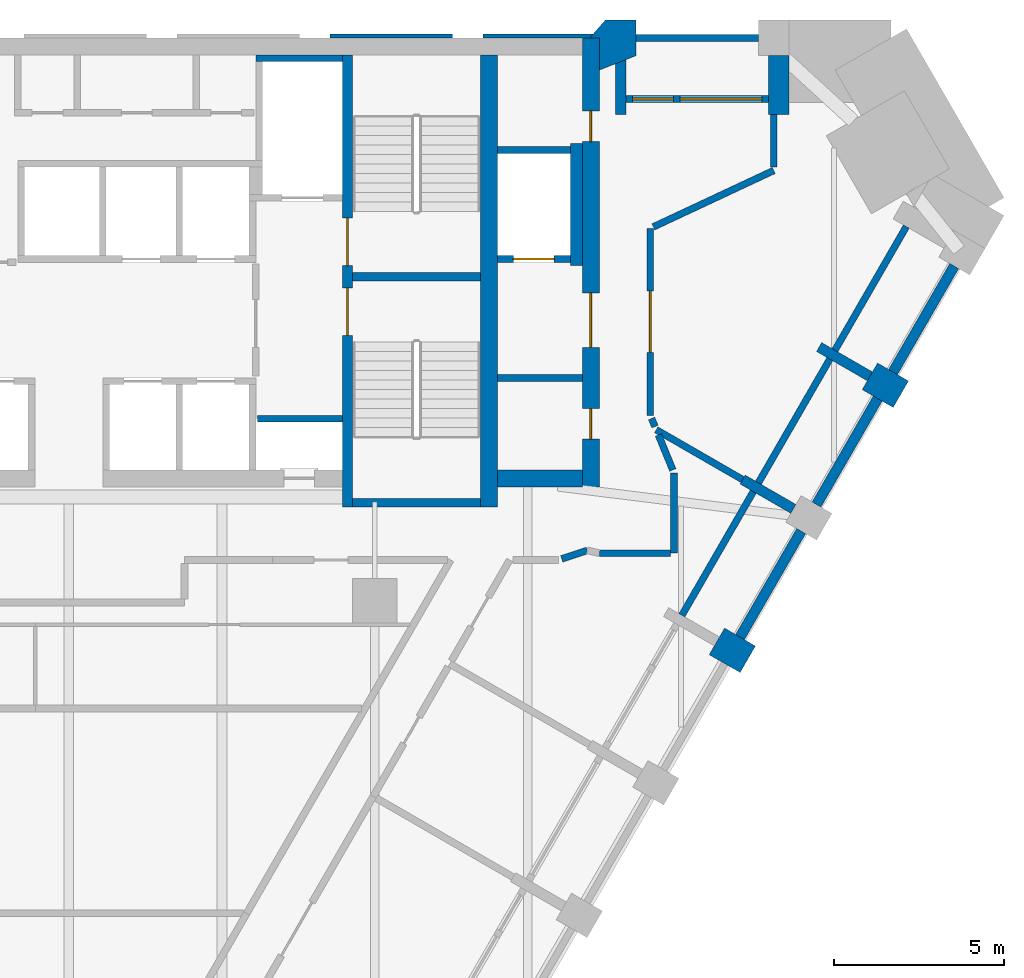
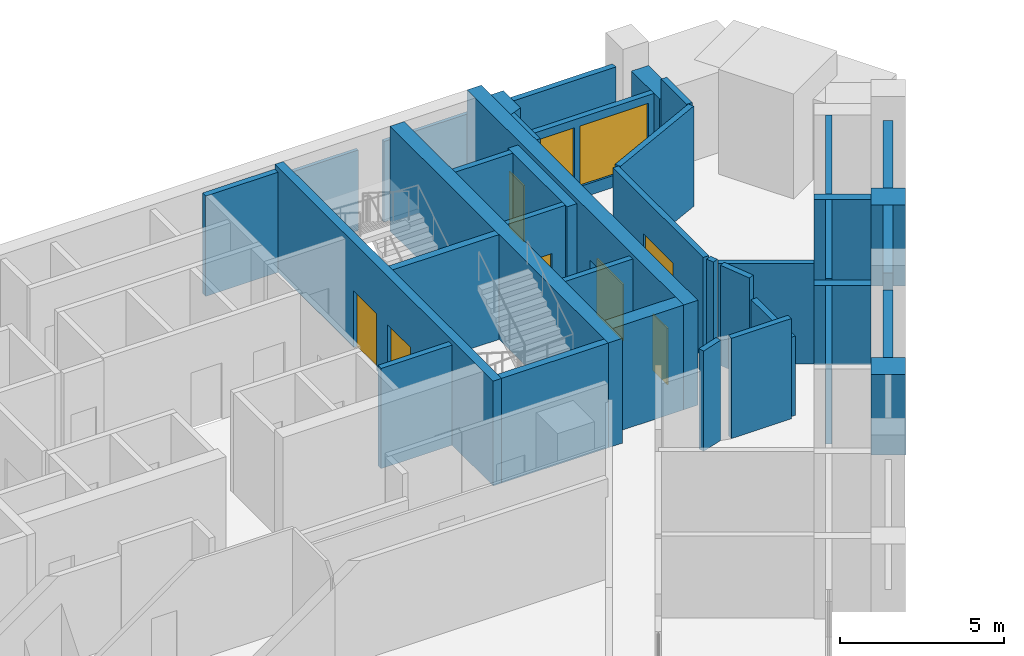
# One storey, part 7 of 9: 38 walls, 8 doors, 1 window, 9 openings.
"""IFC4 building model written with IfcOpenShell, lengths in metres."""

from ifc_helpers import new_model, si_unit, direction, frame, frame_2d, origin, place, context, subcontext, project, spatial, polyline, rectangle, outline, extrude, material, layer, layer_set, type_object, element, fill, save


model = new_model("IFC4")

# Units and contexts
model_context = context("Model", 3, precision=1e-05, world=origin(), true_north=direction((0.0, 1.0)))
body_context = subcontext(model_context, "Body", "Model", "MODEL_VIEW")
ifc_project = project(units=[si_unit("LENGTHUNIT", "METRE"), si_unit("AREAUNIT", "SQUARE_METRE"), si_unit("VOLUMEUNIT", "CUBIC_METRE"), si_unit("PLANEANGLEUNIT", "RADIAN"), si_unit("MASSUNIT", "GRAM", prefix="KILO")], contexts=[model_context])

# Site, building, storey
site_placement = place(None, origin())
site = spatial("IfcSite", under=ifc_project, at=site_placement, CompositionType="ELEMENT")
building_placement = place(site_placement, origin())
building = spatial("IfcBuilding", under=site, at=building_placement, Name="Calabash Gate Tower", CompositionType="ELEMENT")
storey_placement = place(building_placement, frame((0.0, 0.0, 171.89990234375)))
storey = spatial("IfcBuildingStorey", under=building, at=storey_placement, Name="L40", CompositionType="ELEMENT", Elevation=171.89990234375)

# Walls
ifc_material_1 = material(Name="Terracotta brick masonry, exposed face", Category="masonry")
ifc_layer_1 = layer(ifc_material_1, 1.050048828125)
ifc_layer_set_1 = layer_set([ifc_layer_1], Name="Brick end wall 1050")
wall_type_1 = type_object("IfcWallType", Name="Brick end wall 1050", PredefinedType="SOLIDWALL", material=ifc_layer_set_1)
wall_1_placement = place(storey_placement, frame((19.058349609375, 1.30419921875, 0.0), z_axis=(0.0, 0.0, 1.0), x_axis=(0.866030680601, -0.499990860175, 0.0)))
element("IfcWall", 1, at=wall_1_placement, inside=storey, type_object=wall_type_1, Name="Brick pier S11 SE4.5", PredefinedType="SOLIDWALL", context=body_context, shape_type="SweptSolid", body=[
    extrude(rectangle(XDim=1.0498046875, YDim=0.89990234375, at=frame_2d((0.52490234375, 0.0))), origin(), (0.0, 0.0, 1.0), 3.0),
])
wall_2_placement = place(storey_placement, frame((24.467529296875, 8.573486328125, 0.0), z_axis=(0.0, 0.0, 1.0), x_axis=(-0.86592997719, 0.500165247297, 0.0)))
element("IfcWall", 2, at=wall_2_placement, inside=storey, type_object=wall_type_1, Name="Brick pier S11 SE4.7", PredefinedType="SOLIDWALL", context=body_context, shape_type="SweptSolid", body=[
    extrude(rectangle(XDim=1.050048828125, YDim=0.89990234375, at=frame_2d((0.52490234375, 0.0))), origin(), (0.0, 0.0, 1.0), 3.0),
])
wall_3_placement = place(storey_placement, origin())
element("IfcWall", 3, at=wall_3_placement, inside=storey, type_object=wall_type_1, Name="Brick pier S11 N6.1", PredefinedType="SOLIDWALL", context=body_context, shape_type="SweptSolid", body=[
    extrude(outline(polyline([(15.60009765625, 18.104248046875), (16.6796875, 18.527587890625), (16.6796875, 19.57763671875), (15.779541015625, 19.57763671875), (15.319580078125, 19.052490234375), (15.60009765625, 19.052490234375), (15.60009765625, 18.104248046875)])), origin(), (0.0, 0.0, 1.0), 3.0),
])
ifc_material_2 = material(Name="Terracotta brick masonry, exposed face", Category="masonry")
ifc_layer_2 = layer(ifc_material_2, 0.300048828125)
ifc_layer_set_2 = layer_set([ifc_layer_2], Name="Brick infill panel wall 300")
wall_type_2 = type_object("IfcWallType", Name="Brick infill panel wall 300", PredefinedType="SOLIDWALL", material=ifc_layer_set_2)
wall_4_placement = place(storey_placement, frame((19.738037109375, 1.431396484375, 0.0), z_axis=(0.0, 0.0, 1.0), x_axis=(0.499982693035, 0.866035395735, 0.0)))
element("IfcWall", 4, at=wall_4_placement, inside=storey, type_object=wall_type_2, Name="Brick panel S11 SE4.6", PredefinedType="SOLIDWALL", context=body_context, shape_type="SweptSolid", body=[
    extrude(rectangle(XDim=3.600341796875, YDim=0.300048828125, at=frame_2d((1.80029296875, 0.0))), origin(), (0.0, 0.0, 1.0), 3.0),
])
for number, where, z_axis, x_axis, name in (
    (5, (21.988037109375, 5.32861328125, 0.0), (0.0, 0.0, 1.0), (0.500012057535, 0.866018442252, 0.0), "Brick panel S11 SE4.7"),
    (6, (24.238037109375, 9.225830078125, 0.0), (0.0, 0.0, 1.0), (0.500012057535, 0.866018442252, 0.0), "Brick panel S11 SE4.8"),
):
    element("IfcWall", number, at=place(storey_placement, frame(where, z_axis=z_axis, x_axis=x_axis)), inside=storey, type_object=wall_type_2, Name=name, PredefinedType="SOLIDWALL", context=body_context, shape_type="SweptSolid", body=[
        extrude(rectangle(XDim=3.60009765625, YDim=0.300048828125, at=frame_2d((1.800048828125, 0.0))), origin(), (0.0, 0.0, 1.0), 3.0),
    ])
ifc_material_3 = material(Name="Terracotta brick masonry, exposed face", Category="masonry")
ifc_layer_3 = layer(ifc_material_3, 0.300048828125)
ifc_layer_set_3 = layer_set([ifc_layer_3], Name="Brick loggia cheek wall 300")
wall_type_3 = type_object("IfcWallType", Name="Brick loggia cheek wall 300", PredefinedType="SOLIDWALL", material=ifc_layer_set_3)
wall_5_placement = place(storey_placement, frame((19.814453125, 6.06396484375, 0.0), z_axis=(0.0, 0.0, 1.0), x_axis=(0.866013532718, -0.500020560727, 0.0)))
element("IfcWall", 7, at=wall_5_placement, inside=storey, type_object=wall_type_3, Name="Loggia cheek S11 SE4.6", PredefinedType="SOLIDWALL", context=body_context, shape_type="SweptSolid", body=[
    extrude(rectangle(XDim=1.72509765625, YDim=0.300048828125, at=frame_2d((0.862548828125, 0.0))), origin(), (0.0, 0.0, 1.0), 2.9501953125),
])
wall_6_placement = place(storey_placement, frame((23.558349609375, 9.0986328125, 0.0), z_axis=(0.0, 0.0, 1.0), x_axis=(-0.866074815912, 0.499914405916, 0.0)))
element("IfcWall", 8, at=wall_6_placement, inside=storey, type_object=wall_type_3, Name="Loggia cheek S11 SE4.7", PredefinedType="SOLIDWALL", context=body_context, shape_type="SweptSolid", body=[
    extrude(rectangle(XDim=1.724853515625, YDim=0.300048828125, at=frame_2d((0.8623046875, 0.0))), origin(), (0.0, 0.0, 1.0), 3.0),
])
wall_7_placement = place(storey_placement, origin())
element("IfcWall", 9, at=wall_7_placement, inside=storey, type_object=wall_type_3, Name="Loggia cheek S11 N6.0", PredefinedType="SOLIDWALL", context=body_context, shape_type="SweptSolid", body=[
    extrude(outline(polyline([(21.1796875, 16.802490234375), (21.1796875, 18.527587890625), (20.57958984375, 18.527587890625), (20.57958984375, 16.802490234375), (21.1796875, 16.802490234375)])), origin(), (0.0, 0.0, 1.0), 3.0),
])
wall_8_placement = place(storey_placement, origin())
element("IfcWall", 10, at=wall_8_placement, inside=storey, type_object=wall_type_3, Name="Loggia cheek S11 N6.1", PredefinedType="SOLIDWALL", context=body_context, shape_type="SweptSolid", body=[
    extrude(outline(polyline([(16.07958984375, 18.292236328125), (16.07958984375, 16.802490234375), (16.379638671875, 16.802490234375), (16.379638671875, 18.409912109375), (16.07958984375, 18.292236328125)])), origin(), (0.0, 0.0, 1.0), 3.0),
])
ifc_material_4 = material(Name="Gypsum board on steel studs, mineral wool", Category="steel")
ifc_layer_4 = layer(ifc_material_4, 0.199951171875)
ifc_layer_set_4 = layer_set([ifc_layer_4], Name="Core partition 200 gypsum board")
wall_type_4 = type_object("IfcWallType", Name="Core partition 200 gypsum board", PredefinedType="PARTITIONING", material=ifc_layer_set_4)
wall_9_placement = place(storey_placement, frame((12.60009765625, 9.052490234375, 0.0), z_axis=(0.0, 0.0, 1.0), x_axis=(1.0, 0.0, 0.0)))
element("IfcWall", 11, at=wall_9_placement, inside=storey, type_object=wall_type_4, Name="Core partition", PredefinedType="PARTITIONING", context=body_context, shape_type="SweptSolid", body=[
    extrude(rectangle(XDim=2.5, YDim=0.199951171875, at=frame_2d((1.25, 0.0))), origin(), (0.0, 0.0, 1.0), 3.72998046875),
])
ifc_material_5 = material(Name="Concrete C70/85", Category="concrete")
ifc_layer_5 = layer(ifc_material_5, 0.25)
ifc_layer_set_5 = layer_set([ifc_layer_5], Name="Core wall 250 Concrete C70/85")
wall_type_5 = type_object("IfcWallType", Name="Core wall 250 Concrete C70/85", PredefinedType="SHEAR", material=ifc_layer_set_5)
for number, where, z_axis, x_axis, name in (
    (12, (8.35009765625, 12.027587890625, 0.0), (0.0, 0.0, 1.0), (1.0, 0.0, 0.0), "Core wall Z3-MIDE L40"),
    (13, (8.35009765625, 5.377685546875, 0.0), (0.0, 0.0, 1.0), (1.0, 0.0, 0.0), "Core wall Z3-SSE L40"),
):
    element("IfcWall", number, at=place(storey_placement, frame(where, z_axis=z_axis, x_axis=x_axis)), inside=storey, type_object=wall_type_5, Name=name, PredefinedType="SHEAR", context=body_context, shape_type="SweptSolid", body=[
        extrude(rectangle(XDim=3.75, YDim=0.25, at=frame_2d((1.875, 0.0))), origin(), (0.0, 0.0, 1.0), 3.900146484375),
    ])

# Wall, openings, doors
ifc_material_6 = material(Name="Concrete C70/85", Category="concrete")
ifc_layer_6 = layer(ifc_material_6, 0.300048828125)
ifc_layer_set_6 = layer_set([ifc_layer_6], Name="Core wall 300 Concrete C70/85")
wall_type_6 = type_object("IfcWallType", Name="Core wall 300 Concrete C70/85", PredefinedType="SHEAR", material=ifc_layer_set_6)
wall_10_placement = place(storey_placement, frame((8.199951171875, 5.252685546875, 0.0), z_axis=(0.0, 0.0, 1.0), x_axis=(0.0, 1.0, 0.0)))
wall_10 = element("IfcWall", 14, at=wall_10_placement, inside=storey, type_object=wall_type_6, Name="Core wall Z3-PARTE L40", PredefinedType="SHEAR", context=body_context, shape_type="SweptSolid", body=[
    extrude(rectangle(XDim=13.2998046875, YDim=0.300048828125, at=frame_2d((6.64990234375, 0.0))), origin(), (0.0, 0.0, 1.0), 3.900146484375),
])
opening_1_placement = place(wall_10_placement, frame((7.10009765625, 0.0, 0.0)))
opening_1 = element("IfcOpeningElement", 15, at=opening_1_placement, cuts=wall_10, Name="Opening O3-019", PredefinedType="OPENING", context=body_context, shape_type="SweptSolid", body=[
    extrude(rectangle(XDim=1.39990234375, YDim=2.10009765625, at=frame_2d((0.699951171875, 1.050048828125))), frame((0.0, 0.159912109375, 0.0), z_axis=(0.0, -1.0, 0.0), x_axis=(1.0, 0.0, 0.0)), (0.0, 0.0, 1.0), 0.320068359375),
])
opening_2_placement = place(wall_10_placement, frame((5.050048828125, 0.0, 0.0)))
opening_2 = element("IfcOpeningElement", 16, at=opening_2_placement, cuts=wall_10, Name="Opening O3-020", PredefinedType="OPENING", context=body_context, shape_type="SweptSolid", body=[
    extrude(rectangle(XDim=1.39990234375, YDim=2.10009765625, at=frame_2d((0.699951171875, 1.050048828125))), frame((0.0, 0.159912109375, 0.0), z_axis=(0.0, -1.0, 0.0), x_axis=(1.0, 0.0, 0.0)), (0.0, 0.0, 1.0), 0.320068359375),
])
ifc_material_7 = material(Name="Steel fire door set with fire-resisting glazing", Category="steel")
door_type_1 = type_object("IfcDoorType", Name="Fire door D05 1400x2100 FD90", OperationType="NOTDEFINED", PredefinedType="DOOR", material=ifc_material_7)
door_1_placement = place(opening_1_placement, origin())
door_1 = element("IfcDoor", 17, at=door_1_placement, inside=storey, type_object=door_type_1, Name="Exit stair door ST3", OperationType="SINGLE_SWING_RIGHT", OverallHeight=2.10009765625, OverallWidth=1.39990234375, PredefinedType="DOOR", context=body_context, shape_type="SweptSolid", body=[
    extrude(rectangle(XDim=1.39990234375, YDim=2.10009765625, at=frame_2d((0.699951171875, 1.050048828125))), frame((0.0, 0.02490234375, 0.0), z_axis=(0.0, -1.0, 0.0), x_axis=(1.0, 0.0, 0.0)), (0.0, 0.0, 1.0), 0.050048828125),
])
fill(opening_1, door_1)
door_2_placement = place(opening_2_placement, origin())
door_2 = element("IfcDoor", 18, at=door_2_placement, inside=storey, type_object=door_type_1, Name="Exit stair door ST4", OperationType="SINGLE_SWING_LEFT", OverallHeight=2.10009765625, OverallWidth=1.39990234375, PredefinedType="DOOR", context=body_context, shape_type="SweptSolid", body=[
    extrude(rectangle(XDim=1.39990234375, YDim=2.10009765625, at=frame_2d((0.699951171875, 1.050048828125))), frame((0.0, 0.02490234375, 0.0), z_axis=(0.0, -1.0, 0.0), x_axis=(1.0, 0.0, 0.0)), (0.0, 0.0, 1.0), 0.050048828125),
])
fill(opening_2, door_2)

# Walls
ifc_material_8 = material(Name="Concrete C70/85", Category="concrete")
ifc_layer_7 = layer(ifc_material_8, 0.5)
ifc_layer_set_7 = layer_set([ifc_layer_7], Name="Core wall 500 Concrete C70/85")
wall_type_7 = type_object("IfcWallType", Name="Core wall 500 Concrete C70/85", PredefinedType="SHEAR", material=ifc_layer_set_7)
wall_11_placement = place(storey_placement, frame((12.35009765625, 5.252685546875, 0.0), z_axis=(0.0, 0.0, 1.0), x_axis=(0.0, 1.0, 0.0)))
element("IfcWall", 19, at=wall_11_placement, inside=storey, type_object=wall_type_7, Name="Core wall Z3-COLE L40", PredefinedType="SHEAR", context=body_context, shape_type="SweptSolid", body=[
    extrude(rectangle(XDim=13.2998046875, YDim=0.5, at=frame_2d((6.64990234375, 0.0))), origin(), (0.0, 0.0, 1.0), 3.900146484375),
])
wall_12_placement = place(storey_placement, frame((12.60009765625, 6.1025390625, 0.0), z_axis=(0.0, 0.0, 1.0), x_axis=(1.0, 0.0, 0.0)))
element("IfcWall", 20, at=wall_12_placement, inside=storey, type_object=wall_type_7, Name="Core wall Z3-SE L40", PredefinedType="SHEAR", context=body_context, shape_type="SweptSolid", body=[
    extrude(rectangle(XDim=2.5, YDim=0.5, at=frame_2d((1.25, 0.0))), origin(), (0.0, 0.0, 1.0), 3.900146484375),
])

# Wall, openings, doors
wall_13_placement = place(storey_placement, frame((15.35009765625, 5.8525390625, 0.0), z_axis=(0.0, 0.0, 1.0), x_axis=(0.0, 1.0, 0.0)))
wall_13 = element("IfcWall", 21, at=wall_13_placement, inside=storey, type_object=wall_type_7, Name="Core wall Z3-ENDE L40", PredefinedType="SHEAR", context=body_context, shape_type="SweptSolid", body=[
    extrude(rectangle(XDim=13.199951171875, YDim=0.5, at=frame_2d((6.60009765625, 0.0))), origin(), (0.0, 0.0, 1.0), 3.900146484375),
])
opening_3_placement = place(wall_13_placement, frame((4.10009765625, 0.0, 0.0)))
opening_3 = element("IfcOpeningElement", 22, at=opening_3_placement, cuts=wall_13, Name="Opening O3-003", PredefinedType="OPENING", context=body_context, shape_type="SweptSolid", body=[
    extrude(rectangle(XDim=1.60009765625, YDim=2.10009765625, at=frame_2d((0.800048828125, 1.050048828125))), frame((0.0, 0.260009765625, 0.0), z_axis=(0.0, -1.0, 0.0), x_axis=(1.0, 0.0, 0.0)), (0.0, 0.0, 1.0), 0.52001953125),
])
opening_4_placement = place(wall_13_placement, frame((1.39990234375, 0.0, 0.0)))
opening_4 = element("IfcOpeningElement", 23, at=opening_4_placement, cuts=wall_13, Name="Opening O3-001", PredefinedType="OPENING", context=body_context, shape_type="SweptSolid", body=[
    extrude(rectangle(XDim=0.89990234375, YDim=2.10009765625, at=frame_2d((0.449951171875, 1.050048828125))), frame((0.0, 0.260009765625, 0.0), z_axis=(0.0, -1.0, 0.0), x_axis=(1.0, 0.0, 0.0)), (0.0, 0.0, 1.0), 0.52001953125),
])
opening_5_placement = place(wall_13_placement, frame((10.14990234375, 0.0, 0.0)))
opening_5 = element("IfcOpeningElement", 24, at=opening_5_placement, cuts=wall_13, Name="Opening O3-002", PredefinedType="OPENING", context=body_context, shape_type="SweptSolid", body=[
    extrude(rectangle(XDim=0.89990234375, YDim=2.10009765625, at=frame_2d((0.449951171875, 1.050048828125))), frame((0.0, 0.260009765625, 0.0), z_axis=(0.0, -1.0, 0.0), x_axis=(1.0, 0.0, 0.0)), (0.0, 0.0, 1.0), 0.52001953125),
])
ifc_material_9 = material(Name="Steel fire door set with fire-resisting glazing", Category="steel")
door_type_2 = type_object("IfcDoorType", Name="Double fire door D08 1600x2100 FD60", OperationType="DOUBLE_DOOR_SINGLE_SWING", PredefinedType="DOOR", material=ifc_material_9)
door_3_placement = place(opening_3_placement, origin())
door_3 = element("IfcDoor", 25, at=door_3_placement, inside=storey, type_object=door_type_2, Name="Service Lift Lobby E door", OperationType="DOUBLE_DOOR_SINGLE_SWING", OverallHeight=2.10009765625, OverallWidth=1.60009765625, PredefinedType="DOOR", context=body_context, shape_type="SweptSolid", body=[
    extrude(rectangle(XDim=1.60009765625, YDim=2.10009765625, at=frame_2d((0.800048828125, 1.050048828125))), frame((0.0, 0.02490234375, 0.0), z_axis=(0.0, -1.0, 0.0), x_axis=(1.0, 0.0, 0.0)), (0.0, 0.0, 1.0), 0.050048828125),
])
fill(opening_3, door_3)
ifc_material_10 = material(Name="Steel fire door set with fire-resisting glazing", Category="steel")
door_type_3 = type_object("IfcDoorType", Name="Fire door D06 900x2100 FD60", OperationType="NOTDEFINED", PredefinedType="DOOR", material=ifc_material_10)
door_4_placement = place(opening_4_placement, origin())
door_4 = element("IfcDoor", 26, at=door_4_placement, inside=storey, type_object=door_type_3, Name="Men's WC door", OperationType="SINGLE_SWING_RIGHT", OverallHeight=2.10009765625, OverallWidth=0.89990234375, PredefinedType="DOOR", context=body_context, shape_type="SweptSolid", body=[
    extrude(rectangle(XDim=0.89990234375, YDim=2.10009765625, at=frame_2d((0.449951171875, 1.050048828125))), frame((0.0, 0.02490234375, 0.0), z_axis=(0.0, -1.0, 0.0), x_axis=(1.0, 0.0, 0.0)), (0.0, 0.0, 1.0), 0.050048828125),
])
fill(opening_4, door_4)
door_5_placement = place(opening_5_placement, origin())
door_5 = element("IfcDoor", 27, at=door_5_placement, inside=storey, type_object=door_type_3, Name="Tenant Pantry door", OperationType="SINGLE_SWING_LEFT", OverallHeight=2.10009765625, OverallWidth=0.89990234375, PredefinedType="DOOR", context=body_context, shape_type="SweptSolid", body=[
    extrude(rectangle(XDim=0.89990234375, YDim=2.10009765625, at=frame_2d((0.449951171875, 1.050048828125))), frame((0.0, 0.02490234375, 0.0), z_axis=(0.0, -1.0, 0.0), x_axis=(1.0, 0.0, 0.0)), (0.0, 0.0, 1.0), 0.050048828125),
])
fill(opening_5, door_5)

# Walls
ifc_material_11 = material(Name="Gypsum board on steel studs, mineral wool", Category="steel")
ifc_layer_8 = layer(ifc_material_11, 0.199951171875)
ifc_layer_set_8 = layer_set([ifc_layer_8], Name="Partition 200 gypsum board EI 60")
wall_type_8 = type_object("IfcWallType", Name="Partition 200 gypsum board EI 60", PredefinedType="PARTITIONING", material=ifc_layer_set_8)
wall_14_placement = place(storey_placement, frame((15.60009765625, 3.8994140625, 0.0), z_axis=(0.0, 0.0, 1.0), x_axis=(0.999999993243, 0.000116252034, 0.0)))
element("IfcWall", 28, at=wall_14_placement, inside=storey, type_object=wall_type_8, Name="Partition", PredefinedType="PARTITIONING", context=body_context, shape_type="SweptSolid", body=[
    extrude(rectangle(XDim=2.10009765625, YDim=0.199951171875, at=frame_2d((1.050048828125, 0.0))), origin(), (0.0, 0.0, 1.0), 3.72998046875),
])
wall_15_placement = place(storey_placement, frame((14.494873046875, 3.731201171875, 0.0), z_axis=(0.0, 0.0, 1.0), x_axis=(0.948683298051, 0.316227766017, 0.0)))
element("IfcWall", 29, at=wall_15_placement, inside=storey, type_object=wall_type_8, Name="Partition", PredefinedType="PARTITIONING", context=body_context, shape_type="SweptSolid", body=[
    extrude(rectangle(XDim=0.791259765625, YDim=0.199951171875, at=frame_2d((0.3955078125, 0.0))), origin(), (0.0, 0.0, 1.0), 3.72998046875),
])
wall_16_placement = place(storey_placement, frame((17.275634765625, 7.52734375, 0.0), z_axis=(0.0, 0.0, 1.0), x_axis=(0.866324259283, -0.499482009464, 0.0)))
element("IfcWall", 30, at=wall_16_placement, inside=storey, type_object=wall_type_8, Name="Partition", PredefinedType="PARTITIONING", context=body_context, shape_type="SweptSolid", body=[
    extrude(rectangle(XDim=2.93017578125, YDim=0.199951171875, at=frame_2d((1.465087890625, 0.0))), origin(), (0.0, 0.0, 1.0), 3.72998046875),
])
wall_17_placement = place(storey_placement, frame((17.80029296875, 3.899658203125, 0.0), z_axis=(0.0, 0.0, 1.0), x_axis=(0.000103755965, 0.999999994617, 0.0)))
element("IfcWall", 31, at=wall_17_placement, inside=storey, type_object=wall_type_8, Name="Partition", PredefinedType="PARTITIONING", context=body_context, shape_type="SweptSolid", body=[
    extrude(rectangle(XDim=2.35302734375, YDim=0.199951171875, at=frame_2d((1.176513671875, 0.0))), origin(), (0.0, 0.0, 1.0), 2.9501953125),
])
wall_18_placement = place(storey_placement, frame((17.33984375, 7.375, 0.0), z_axis=(0.0, 0.0, 1.0), x_axis=(0.379657440063, -0.925127141643, 0.0)))
element("IfcWall", 32, at=wall_18_placement, inside=storey, type_object=wall_type_8, Name="Partition", PredefinedType="PARTITIONING", context=body_context, shape_type="SweptSolid", body=[
    extrude(rectangle(XDim=1.113037109375, YDim=0.199951171875, at=frame_2d((0.556640625, 0.0))), origin(), (0.0, 0.0, 1.0), 3.72998046875),
])
wall_19_placement = place(storey_placement, frame((17.138916015625, 7.8603515625, 0.0), z_axis=(0.0, 0.0, 1.0), x_axis=(0.383408069738, -0.923579044836, 0.0)))
element("IfcWall", 33, at=wall_19_placement, inside=storey, type_object=wall_type_8, Name="Partition", PredefinedType="PARTITIONING", context=body_context, shape_type="SweptSolid", body=[
    extrude(rectangle(XDim=0.258544921875, YDim=0.199951171875, at=frame_2d((0.12939453125, 0.0))), origin(), (0.0, 0.0, 1.0), 3.72998046875),
])

# Wall, opening, door
wall_20_placement = place(storey_placement, frame((17.1005859375, 7.95263671875, 0.0), z_axis=(0.0, 0.0, 1.0), x_axis=(0.0, 1.0, 0.0)))
wall_20 = element("IfcWall", 34, at=wall_20_placement, inside=storey, type_object=wall_type_8, Name="Partition", PredefinedType="PARTITIONING", context=body_context, shape_type="SweptSolid", body=[
    extrude(rectangle(XDim=5.49951171875, YDim=0.199951171875, at=frame_2d((2.749755859375, 0.0))), origin(), (0.0, 0.0, 1.0), 3.72998046875),
])
opening_6_placement = place(wall_20_placement, frame((1.849609375, 0.0, 0.0)))
opening_6 = element("IfcOpeningElement", 35, at=opening_6_placement, cuts=wall_20, Name="Opening 39-41-011", PredefinedType="OPENING", context=body_context, shape_type="SweptSolid", body=[
    extrude(rectangle(XDim=1.800048828125, YDim=2.39990234375, at=frame_2d((0.89990234375, 1.199951171875))), frame((0.0, 0.10986328125, 0.0), z_axis=(0.0, -1.0, 0.0), x_axis=(1.0, 0.0, 0.0)), (0.0, 0.0, 1.0), 0.219970703125),
])
ifc_material_12 = material(Name="Steel fire door set with fire-resisting glazing", Category="steel")
door_type_4 = type_object("IfcDoorType", Name="OD5 Open office double door 1800x2400", OperationType="NOTDEFINED", PredefinedType="DOOR", material=ifc_material_12)
door_6_placement = place(opening_6_placement, origin())
door_6 = element("IfcDoor", 36, at=door_6_placement, inside=storey, type_object=door_type_4, Name="Open office double door", OperationType="DOUBLE_DOOR_SINGLE_SWING", OverallHeight=2.39990234375, OverallWidth=1.800048828125, PredefinedType="DOOR", context=body_context, shape_type="SweptSolid", body=[
    extrude(rectangle(XDim=1.800048828125, YDim=2.39990234375, at=frame_2d((0.89990234375, 1.199951171875))), frame((0.0, 0.02490234375, 0.0), z_axis=(0.0, -1.0, 0.0), x_axis=(1.0, 0.0, 0.0)), (0.0, 0.0, 1.0), 0.050048828125),
])
fill(opening_6, door_6)

# Walls
wall_21_placement = place(storey_placement, frame((17.191162109375, 13.49462890625, 0.0), z_axis=(0.0, 0.0, 1.0), x_axis=(0.905591697206, 0.424150536898, 0.0)))
element("IfcWall", 37, at=wall_21_placement, inside=storey, type_object=wall_type_8, Name="Partition", PredefinedType="PARTITIONING", context=body_context, shape_type="SweptSolid", body=[
    extrude(rectangle(XDim=3.90771484375, YDim=0.199951171875, at=frame_2d((1.953857421875, 0.0))), origin(), (0.0, 0.0, 1.0), 3.72998046875),
])
wall_22_placement = place(storey_placement, frame((20.72998046875, 15.252197265625, 0.0), z_axis=(0.0, 0.0, 1.0), x_axis=(0.000157480313, 0.9999999876, 0.0)))
element("IfcWall", 38, at=wall_22_placement, inside=storey, type_object=wall_type_8, Name="Partition", PredefinedType="PARTITIONING", context=body_context, shape_type="SweptSolid", body=[
    extrude(rectangle(XDim=1.55029296875, YDim=0.199951171875, at=frame_2d((0.775146484375, 0.0))), origin(), (0.0, 0.0, 1.0), 3.72998046875),
])
ifc_material_13 = material(Name="Concrete C40/50", Category="concrete")
ifc_layer_9 = layer(ifc_material_13, 0.199951171875)
ifc_layer_set_9 = layer_set([ifc_layer_9], Name="Shaft wall 200 Concrete C40/50")
wall_type_9 = type_object("IfcWallType", Name="Shaft wall 200 Concrete C40/50", PredefinedType="SOLIDWALL", material=ifc_layer_set_9)
wall_23_placement = place(storey_placement, frame((5.550048828125, 7.8525390625, 0.0), z_axis=(0.0, 0.0, 1.0), x_axis=(1.0, 0.0, 0.0)))
element("IfcWall", 39, at=wall_23_placement, inside=storey, type_object=wall_type_9, Name="Shaft wall", PredefinedType="SOLIDWALL", context=body_context, shape_type="SweptSolid", body=[
    extrude(rectangle(XDim=2.5, YDim=0.199951171875, at=frame_2d((1.25, 0.0))), origin(), (0.0, 0.0, 1.0), 3.72998046875),
])
wall_24_placement = place(storey_placement, frame((14.925048828125, 12.3525390625, 0.0), z_axis=(0.0, 0.0, 1.0), x_axis=(0.0, 1.0, 0.0)))
element("IfcWall", 40, at=wall_24_placement, inside=storey, type_object=wall_type_9, Name="Shaft wall", PredefinedType="SOLIDWALL", context=body_context, shape_type="SweptSolid", body=[
    extrude(rectangle(XDim=3.60009765625, YDim=0.35009765625, at=frame_2d((1.800048828125, 0.0))), origin(), (0.0, 0.0, 1.0), 3.72998046875),
])

# Wall, opening, door
wall_25_placement = place(storey_placement, frame((12.60009765625, 12.552490234375, 0.0), z_axis=(0.0, 0.0, 1.0), x_axis=(1.0, 0.0, 0.0)))
wall_25 = element("IfcWall", 41, at=wall_25_placement, inside=storey, type_object=wall_type_9, Name="Shaft wall", PredefinedType="SOLIDWALL", context=body_context, shape_type="SweptSolid", body=[
    extrude(rectangle(XDim=2.14990234375, YDim=0.199951171875, at=frame_2d((1.074951171875, 0.0))), origin(), (0.0, 0.0, 1.0), 3.72998046875),
])
opening_7_placement = place(wall_25_placement, frame((0.47509765625, 0.0, 0.0)))
opening_7 = element("IfcOpeningElement", 42, at=opening_7_placement, cuts=wall_25, Name="Opening LD-SL1", PredefinedType="OPENING", context=body_context, shape_type="SweptSolid", body=[
    extrude(rectangle(XDim=1.199951171875, YDim=2.10009765625, at=frame_2d((0.60009765625, 1.050048828125))), frame((0.0, 0.10986328125, 0.0), z_axis=(0.0, -1.0, 0.0), x_axis=(1.0, 0.0, 0.0)), (0.0, 0.0, 1.0), 0.219970703125),
])
ifc_material_14 = material(Name="Stainless steel sliding door leaves", Category="steel")
door_type_5 = type_object("IfcDoorType", Name="Lift landing door LS3 1200x2100 FD90", OperationType="DOUBLE_DOOR_SLIDING", PredefinedType="DOOR", material=ifc_material_14)
door_7_placement = place(opening_7_placement, origin())
door_7 = element("IfcDoor", 43, at=door_7_placement, inside=storey, type_object=door_type_5, Name="Lift landing door SL1", OperationType="DOUBLE_DOOR_SLIDING", OverallHeight=2.10009765625, OverallWidth=1.199951171875, PredefinedType="DOOR", context=body_context, shape_type="SweptSolid", body=[
    extrude(rectangle(XDim=1.199951171875, YDim=2.10009765625, at=frame_2d((0.60009765625, 1.050048828125))), frame((0.0, 0.02490234375, 0.0), z_axis=(0.0, -1.0, 0.0), x_axis=(1.0, 0.0, 0.0)), (0.0, 0.0, 1.0), 0.050048828125),
])
fill(opening_7, door_7)

# Walls
wall_26_placement = place(storey_placement, frame((12.60009765625, 15.752685546875, 0.0), z_axis=(0.0, 0.0, 1.0), x_axis=(1.0, 0.0, 0.0)))
element("IfcWall", 44, at=wall_26_placement, inside=storey, type_object=wall_type_9, Name="Shaft wall", PredefinedType="SOLIDWALL", context=body_context, shape_type="SweptSolid", body=[
    extrude(rectangle(XDim=2.14990234375, YDim=0.199951171875, at=frame_2d((1.074951171875, 0.0))), origin(), (0.0, 0.0, 1.0), 3.72998046875),
])
wall_27_placement = place(storey_placement, frame((5.5, 18.45263671875, 0.0), z_axis=(0.0, 0.0, 1.0), x_axis=(1.0, 0.0, 0.0)))
element("IfcWall", 45, at=wall_27_placement, inside=storey, type_object=wall_type_9, Name="Shaft wall", PredefinedType="SOLIDWALL", context=body_context, shape_type="SweptSolid", body=[
    extrude(rectangle(XDim=2.550048828125, YDim=0.199951171875, at=frame_2d((1.27490234375, 0.0))), origin(), (0.0, 0.0, 1.0), 3.72998046875),
])
ifc_material_15 = material(Name="Terracotta brick masonry, perforated", Category="masonry")
ifc_layer_10 = layer(ifc_material_15, 0.1201171875)
ifc_layer_set_10 = layer_set([ifc_layer_10], Name="Terracotta jaali cladding A 120")
wall_type_10 = type_object("IfcWallType", Name="Terracotta jaali cladding A 120", PredefinedType="SOLIDWALL", material=ifc_layer_set_10)
wall_28_placement = place(storey_placement, origin())
element("IfcWall", 46, at=wall_28_placement, inside=storey, type_object=wall_type_10, Name="Jaali cladding S11 N6.3", PredefinedType="SOLIDWALL", context=body_context, shape_type="SweptSolid", body=[
    extrude(outline(polyline([(7.6796875, 19.172607421875), (7.6796875, 19.052490234375), (11.279541015625, 19.052490234375), (11.279541015625, 19.172607421875), (7.6796875, 19.172607421875)])), origin(), (0.0, 0.0, 1.0), 3.0),
])
ifc_material_16 = material(Name="Terracotta brick masonry, perforated", Category="masonry")
ifc_layer_11 = layer(ifc_material_16, 0.199951171875)
ifc_layer_set_11 = layer_set([ifc_layer_11], Name="Terracotta jaali screen A")
wall_type_11 = type_object("IfcWallType", Name="Terracotta jaali screen A", PredefinedType="SOLIDWALL", material=ifc_layer_set_11)
wall_29_placement = place(storey_placement, frame((20.279541015625, 19.052490234375, 0.0), z_axis=(0.0, 0.0, 1.0), x_axis=(-1.0, 0.0, 0.0)))
element("IfcWall", 47, at=wall_29_placement, inside=storey, type_object=wall_type_11, Name="SCREEN A S11 N6.1", PredefinedType="SOLIDWALL", context=body_context, shape_type="SweptSolid", body=[
    extrude(rectangle(XDim=3.599853515625, YDim=0.199951171875, at=frame_2d((1.7998046875, 0.0))), origin(), (0.0, 0.0, 1.0), 3.0),
])
ifc_material_17 = material(Name="Terracotta louvre blades in an aluminium frame", Category="masonry")
ifc_layer_12 = layer(ifc_material_17, 0.1201171875)
ifc_layer_set_12 = layer_set([ifc_layer_12], Name="Terracotta vent louvre cladding 120")
wall_type_12 = type_object("IfcWallType", Name="Terracotta vent louvre cladding 120", PredefinedType="ELEMENTEDWALL", material=ifc_layer_set_12)
wall_30_placement = place(storey_placement, origin())
element("IfcWall", 48, at=wall_30_placement, inside=storey, type_object=wall_type_12, Name="Vent louvre cladding S11 N6.2", PredefinedType="ELEMENTEDWALL", context=body_context, shape_type="SweptSolid", body=[
    extrude(outline(polyline([(12.1796875, 19.172607421875), (12.1796875, 19.052490234375), (15.319091796875, 19.052490234375), (15.424072265625, 19.172607421875), (12.1796875, 19.172607421875)])), origin(), (0.0, 0.0, 1.0), 3.0),
])
ifc_material_18 = material(Name="Aluminium framed window wall with insulated spandrel", Category="aluminium")
ifc_layer_13 = layer(ifc_material_18, 0.199951171875)
ifc_layer_set_13 = layer_set([ifc_layer_13], Name="Window wall 200")
wall_type_13 = type_object("IfcWallType", Name="Window wall 200", PredefinedType="ELEMENTEDWALL", material=ifc_layer_set_13)
wall_31_placement = place(storey_placement, frame((18.029052734375, 2.07177734375, 0.0), z_axis=(0.0, 0.0, 1.0), x_axis=(0.500027713859, 0.866009402589, 0.0)))
element("IfcWall", 49, at=wall_31_placement, inside=storey, type_object=wall_type_13, Name="Window wall S11 SE4.6", PredefinedType="ELEMENTEDWALL", context=body_context, shape_type="SweptSolid", body=[
    extrude(rectangle(XDim=4.199951171875, YDim=0.199951171875, at=frame_2d((2.10009765625, 0.0))), origin(), (0.0, 0.0, 1.0), 2.9501953125),
])
wall_32_placement = place(storey_placement, frame((20.279052734375, 5.96875, 0.0), z_axis=(0.0, 0.0, 1.0), x_axis=(0.500002543286, 0.866023935413, 0.0)))
element("IfcWall", 50, at=wall_32_placement, inside=storey, type_object=wall_type_13, Name="Window wall S11 SE4.7", PredefinedType="ELEMENTEDWALL", context=body_context, shape_type="SweptSolid", body=[
    extrude(rectangle(XDim=4.2001953125, YDim=0.199951171875, at=frame_2d((2.10009765625, 0.0))), origin(), (0.0, 0.0, 1.0), 3.0),
])
wall_33_placement = place(storey_placement, frame((22.529052734375, 9.865966796875, 0.0), z_axis=(0.0, 0.0, 1.0), x_axis=(0.500027713859, 0.866009402589, 0.0)))
element("IfcWall", 51, at=wall_33_placement, inside=storey, type_object=wall_type_13, Name="Window wall S11 SE4.8", PredefinedType="ELEMENTEDWALL", context=body_context, shape_type="SweptSolid", body=[
    extrude(rectangle(XDim=4.199951171875, YDim=0.199951171875, at=frame_2d((2.10009765625, 0.0))), origin(), (0.0, 0.0, 1.0), 3.0),
])

# Wall, openings, door, window
wall_34_placement = place(storey_placement, frame((20.57958984375, 17.25244140625, 0.0), z_axis=(0.0, 0.0, 1.0), x_axis=(-1.0, 0.0, 0.0)))
wall_34 = element("IfcWall", 52, at=wall_34_placement, inside=storey, type_object=wall_type_13, Name="Window wall S11 N6.1", PredefinedType="ELEMENTEDWALL", context=body_context, shape_type="SweptSolid", body=[
    extrude(rectangle(XDim=4.199951171875, YDim=0.199951171875, at=frame_2d((2.10009765625, 0.0))), origin(), (0.0, 0.0, 1.0), 3.0),
])
opening_8_placement = place(wall_34_placement, frame((0.199951171875, 0.0, 0.449951171875)))
opening_8 = element("IfcOpeningElement", 53, at=opening_8_placement, cuts=wall_34, Name="Opening OW1", PredefinedType="OPENING", context=body_context, shape_type="SweptSolid", body=[
    extrude(rectangle(XDim=2.39990234375, YDim=2.25, at=frame_2d((1.199951171875, 1.125))), frame((0.0, 0.10986328125, 0.0), z_axis=(0.0, -1.0, 0.0), x_axis=(1.0, 0.0, 0.0)), (0.0, 0.0, 1.0), 0.219970703125),
])
opening_9_placement = place(wall_34_placement, frame((2.800048828125, 0.0, 0.0)))
opening_9 = element("IfcOpeningElement", 54, at=opening_9_placement, cuts=wall_34, Name="Opening O3-021", PredefinedType="OPENING", context=body_context, shape_type="SweptSolid", body=[
    extrude(rectangle(XDim=1.199951171875, YDim=2.699951171875, at=frame_2d((0.60009765625, 1.35009765625))), frame((0.0, 0.10986328125, 0.0), z_axis=(0.0, -1.0, 0.0), x_axis=(1.0, 0.0, 0.0)), (0.0, 0.0, 1.0), 0.219970703125),
])
ifc_material_19 = material(Name="Anodised aluminium frame, bronze finish, impact-rated laminated clear glazing", Category="aluminium")
door_type_6 = type_object("IfcDoorType", Name="Loggia door DO1 1200x2700", OperationType="SLIDING_TO_LEFT", PredefinedType="DOOR", material=ifc_material_19)
door_8_placement = place(opening_9_placement, origin())
door_8 = element("IfcDoor", 55, at=door_8_placement, inside=storey, type_object=door_type_6, Name="Loggia door S11 N6.1", OperationType="SINGLE_SWING_LEFT", OverallHeight=2.699951171875, OverallWidth=1.199951171875, PredefinedType="DOOR", context=body_context, shape_type="SweptSolid", body=[
    extrude(rectangle(XDim=1.199951171875, YDim=2.699951171875, at=frame_2d((0.60009765625, 1.35009765625))), frame((0.0, 0.02490234375, 0.0), z_axis=(0.0, -1.0, 0.0), x_axis=(1.0, 0.0, 0.0)), (0.0, 0.0, 1.0), 0.050048828125),
])
fill(opening_9, door_8)
ifc_material_20 = material(Name="Anodised aluminium frame, bronze finish, impact-rated laminated clear glazing", Category="aluminium")
window_type = type_object("IfcWindowType", Name="Window OW1 2400x2250", PartitioningType="DOUBLE_PANEL_VERTICAL", PredefinedType="WINDOW", material=ifc_material_20)
window_placement = place(opening_8_placement, origin())
window = element("IfcWindow", 56, at=window_placement, inside=storey, type_object=window_type, Name="Window OW1 S11 N6.1", OverallHeight=2.25, OverallWidth=2.39990234375, PartitioningType="SINGLE_PANEL", PredefinedType="WINDOW", context=body_context, shape_type="SweptSolid", body=[
    extrude(rectangle(XDim=2.39990234375, YDim=2.25, at=frame_2d((1.199951171875, 1.125))), frame((0.0, 0.030029296875, 0.0), z_axis=(0.0, -1.0, 0.0), x_axis=(1.0, 0.0, 0.0)), (0.0, 0.0, 1.0), 0.06005859375),
])
fill(opening_8, window)

save(model, "model.ifc")
